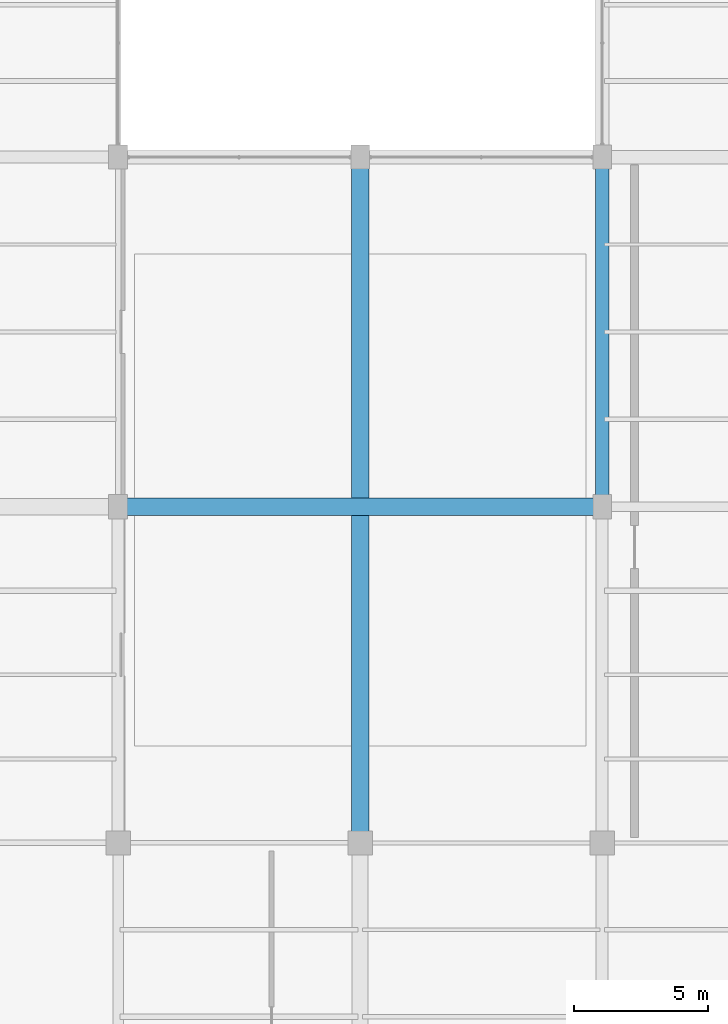
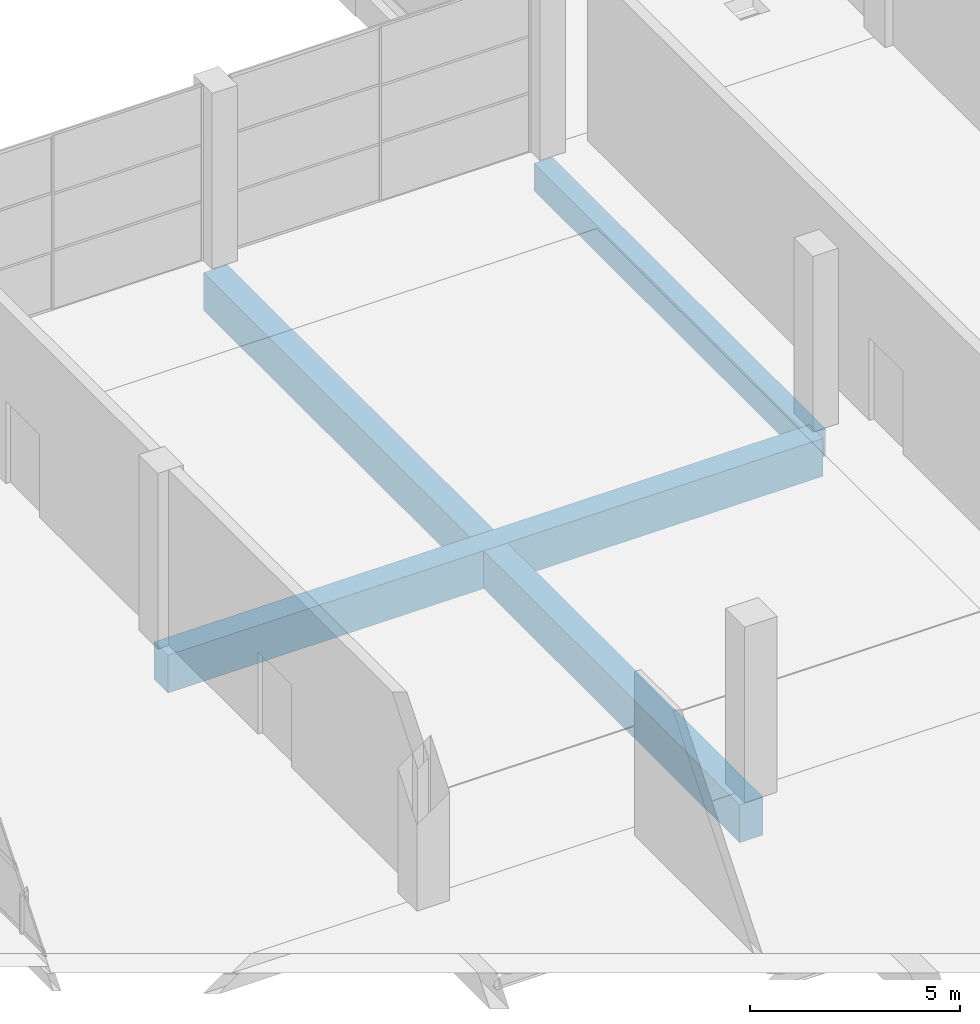
# One storey, part 45 of 90: 3 beams.
"""IFC4 building model written with IfcOpenShell, lengths in metres."""

from ifc_helpers import new_model, si_unit, direction, frame, origin, origin_2d, place, context, subcontext, project, spatial, rectangle, extrude, material, material_profile, profile_set, type_object, element, save


model = new_model("IFC4")

# Units and contexts
model_context = context("Model", 3, precision=1e-05, world=origin(), true_north=direction((0.0, 1.0)))
body_context = subcontext(model_context, "Body", "Model", "MODEL_VIEW")
ifc_project = project(units=[si_unit("LENGTHUNIT", "METRE"), si_unit("AREAUNIT", "SQUARE_METRE"), si_unit("VOLUMEUNIT", "CUBIC_METRE"), si_unit("PLANEANGLEUNIT", "RADIAN"), si_unit("MASSUNIT", "GRAM", prefix="KILO")], contexts=[model_context])

# Site, building, storey
site_placement = place(None, origin())
site = spatial("IfcSite", under=ifc_project, at=site_placement, CompositionType="ELEMENT")
building_placement = place(site_placement, origin())
building = spatial("IfcBuilding", under=site, at=building_placement, Name="Solvikara Media Centre", CompositionType="ELEMENT")
storey_placement = place(building_placement, origin())
storey = spatial("IfcBuildingStorey", under=building, at=storey_placement, Name="L00", CompositionType="ELEMENT", Elevation=0.0)

# Beams
ifc_material_1 = material(Name="Concrete fc' 35 MPa (C35/45)", Category="concrete")
ifc_material_profile_1 = material_profile(ifc_material_1, rectangle(XDim=0.5, YDim=0.800048828125, at=origin_2d()), Name="RC 500x800")
ifc_profile_set_1 = profile_set([ifc_material_profile_1], Name="Concrete fc' 35 MPa (C35/45)")
beam_type_1 = type_object("IfcBeamType", Name="BM-07", PredefinedType="BEAM", material=ifc_profile_set_1)
beam_1_placement = place(storey_placement, frame((154.5, 59.0, -0.780029296875), z_axis=(0.0, 1.0, 0.0), x_axis=(-1.0, 0.0, 0.0)))
element("IfcBeam", 1, at=beam_1_placement, inside=storey, type_object=beam_type_1, Name="B-L00-Y0223", PredefinedType="BEAM", context=body_context, shape_type="SweptSolid", body=[
    extrude(rectangle(XDim=0.5, YDim=0.800048828125, at=origin_2d()), origin(), (0.0, 0.0, 1.0), 13.0),
])
ifc_material_2 = material(Name="Concrete fc' 45 MPa (C45/55)", Category="concrete")
ifc_material_profile_2 = material_profile(ifc_material_2, rectangle(XDim=0.64990234375, YDim=1.10009765625, at=origin_2d()), Name="RC 650x1100")
ifc_profile_set_2 = profile_set([ifc_material_profile_2], Name="Concrete fc' 45 MPa (C45/55)")
beam_type_2 = type_object("IfcBeamType", Name="BM-12", PredefinedType="BEAM", material=ifc_profile_set_2)
beam_2_placement = place(storey_placement, frame((136.5, 59.0, -0.929931640625), z_axis=(1.0, 0.0, 0.0), x_axis=(0.0, 1.0, 0.0)))
element("IfcBeam", 2, at=beam_2_placement, inside=storey, type_object=beam_type_2, Name="B-L00-X0072", PredefinedType="BEAM", context=body_context, shape_type="SweptSolid", body=[
    extrude(rectangle(XDim=0.64990234375, YDim=1.10009765625, at=origin_2d()), origin(), (0.0, 0.0, 1.0), 18.0),
])
beam_3_placement = place(storey_placement, frame((145.5, 46.5, -0.929931640625), z_axis=(0.0, 1.0, 0.0), x_axis=(-1.0, 0.0, 0.0)))
element("IfcBeam", 3, at=beam_3_placement, inside=storey, type_object=beam_type_2, Name="B-L00-Y0216", PredefinedType="BEAM", context=body_context, shape_type="SweptSolid", body=[
    extrude(rectangle(XDim=0.64990234375, YDim=1.10009765625, at=origin_2d()), origin(), (0.0, 0.0, 1.0), 25.5),
])

save(model, "model.ifc")
